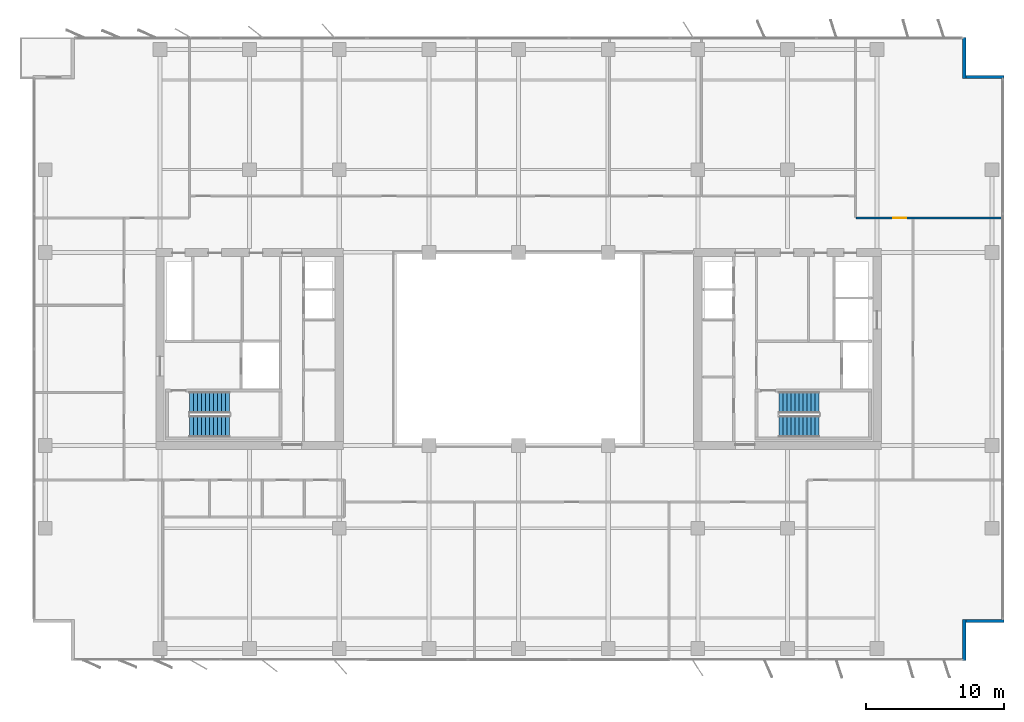
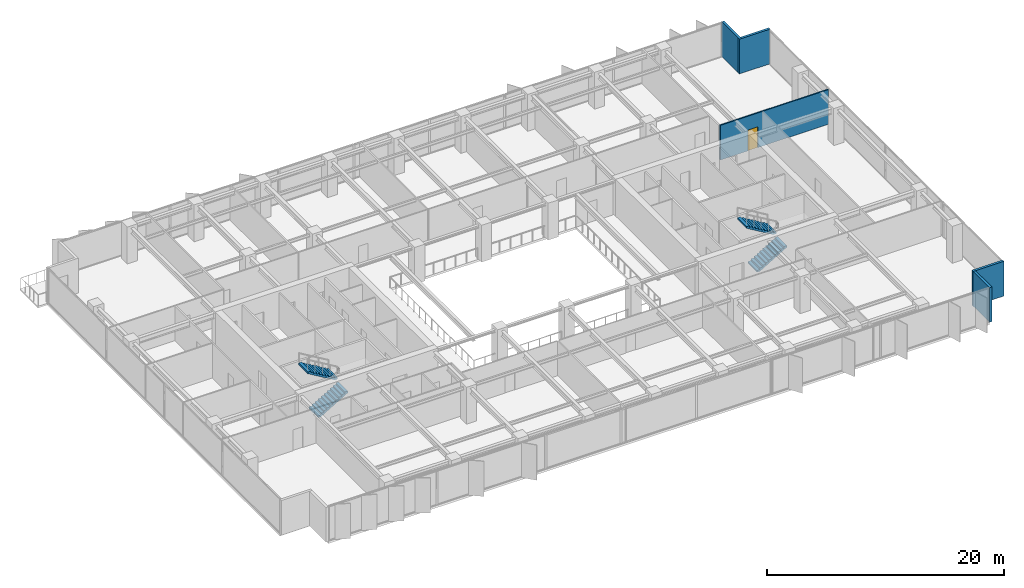
# One storey, part 18 of 22: 5 walls, 4 stair flights, 1 door, 1 opening, 2 elements without a shape of their own.
"""IFC4 building model written with IfcOpenShell, lengths in metres."""

from ifc_helpers import new_model, si_unit, direction, frame, frame_2d, origin, place, context, subcontext, project, spatial, polyline, rectangle, outline, extrude, material, layer, layer_set, type_object, element, fill, aggregate, save


model = new_model("IFC4")

# Units and contexts
model_context = context("Model", 3, precision=1e-05, world=origin(), true_north=direction((0.0, 1.0)))
body_context = subcontext(model_context, "Body", "Model", "MODEL_VIEW")
ifc_project = project(units=[si_unit("LENGTHUNIT", "METRE"), si_unit("AREAUNIT", "SQUARE_METRE"), si_unit("VOLUMEUNIT", "CUBIC_METRE"), si_unit("PLANEANGLEUNIT", "RADIAN"), si_unit("MASSUNIT", "GRAM", prefix="KILO")], contexts=[model_context])

# Site, building, storey
site_placement = place(None, origin())
site = spatial("IfcSite", under=ifc_project, at=site_placement, CompositionType="ELEMENT")
building_placement = place(site_placement, origin())
building = spatial("IfcBuilding", under=site, at=building_placement, Name="Putna Gate Headquarters", CompositionType="ELEMENT")
storey_placement = place(building_placement, frame((0.0, 0.0, 151.800048828125)))
storey = spatial("IfcBuildingStorey", under=building, at=storey_placement, Name="L37", CompositionType="ELEMENT", Elevation=151.800048828125)

# Walls
ifc_material_1 = material(Name="Precast concrete C40/50", Category="concrete")
ifc_layer_1 = layer(ifc_material_1, 0.239990234375)
ifc_layer_set_1 = layer_set([ifc_layer_1], Name="Precast concrete C40/50")
wall_type_1 = type_object("IfcWallType", Name="WALL-EXT-TERR-240", PredefinedType="STANDARD", material=ifc_layer_set_1)
for number, where, z_axis, x_axis, name in (
    (1, (71.320068359375, 48.60009765625, 0.0), (0.0, 0.0, 1.0), (0.0, -1.0, 0.0), "L37 Corner Notch Return Wall NE-V"),
    (2, (71.199951171875, 45.719970703125, 0.0), (0.0, 0.0, 1.0), (1.0, 0.0, 0.0), "L37 Corner Notch Return Wall NE-H"),
    (3, (71.320068359375, 6.39990234375, 0.0), (0.0, 0.0, 1.0), (0.0, -1.0, 0.0), "L37 Corner Notch Return Wall SE-V"),
    (4, (74.199951171875, 6.280029296875, 0.0), (0.0, 0.0, 1.0), (-1.0, 0.0, 0.0), "L37 Corner Notch Return Wall SE-H"),
):
    element("IfcWall", number, at=place(storey_placement, frame(where, z_axis=z_axis, x_axis=x_axis)), inside=storey, type_object=wall_type_1, Name=name, PredefinedType="STANDARD", context=body_context, shape_type="SweptSolid", body=[
        extrude(rectangle(XDim=3.0, YDim=0.239990234375, at=frame_2d((1.5, 0.0))), origin(), (0.0, 0.0, 1.0), 3.572021484375),
    ])

# Wall, opening, door
ifc_material_2 = material(Name="Fire-rated gypsum board on metal stud")
ifc_layer_2 = layer(ifc_material_2, 0.1201171875)
ifc_layer_set_2 = layer_set([ifc_layer_2], Name="Fire-rated gypsum board on metal stud")
wall_type_2 = type_object("IfcWallType", Name="WALL-PART-120-RATED", PredefinedType="PARTITIONING", material=ifc_layer_set_2)
wall_placement = place(storey_placement, frame((63.48291015625, 35.5, 0.0), z_axis=(0.0, 0.0, 1.0), x_axis=(1.0, 0.0, 0.0)))
wall = element("IfcWall", 5, at=wall_placement, inside=storey, type_object=wall_type_2, Name="L37 Interior Wall PART-L37-NB-CW-07", PredefinedType="PARTITIONING", context=body_context, shape_type="SweptSolid", body=[
    extrude(rectangle(XDim=10.537109375, YDim=0.1201171875, at=frame_2d((5.2685546875, 0.0))), origin(), (0.0, 0.0, 1.0), 3.572021484375),
])
opening_placement = place(wall_placement, frame((2.68701171875, 0.0, 0.0)))
opening = element("IfcOpeningElement", 6, at=opening_placement, cuts=wall, Name="Opening FD-95", PredefinedType="OPENING", context=body_context, shape_type="SweptSolid", body=[
    extrude(rectangle(XDim=0.949951171875, YDim=2.14990234375, at=frame_2d((0.47509765625, 1.074951171875))), frame((0.0, 0.070068359375, 0.0), z_axis=(0.0, -1.0, 0.0), x_axis=(1.0, 0.0, 0.0)), (0.0, 0.0, 1.0), 0.14013671875),
])
ifc_material_3 = material(Name="Acoustic timber fire door", Category="wood")
door_type = type_object("IfcDoorType", Name="DOOR-FIRE-950", OperationType="NOTDEFINED", PredefinedType="DOOR", material=ifc_material_3)
door_placement = place(opening_placement, origin())
door = element("IfcDoor", 7, at=door_placement, inside=storey, type_object=door_type, Name="L37 Cellular Office 2 Door", OperationType="SINGLE_SWING_RIGHT", OverallHeight=2.14990234375, OverallWidth=0.949951171875, PredefinedType="DOOR", context=body_context, shape_type="SweptSolid", body=[
    extrude(rectangle(XDim=0.949951171875, YDim=2.14990234375, at=frame_2d((0.47509765625, 1.074951171875))), frame((0.0, 0.02490234375, 0.0), z_axis=(0.0, -1.0, 0.0), x_axis=(1.0, 0.0, 0.0)), (0.0, 0.0, 1.0), 0.050048828125),
])
fill(opening, door)

# Stair, stair flights
ifc_material_4 = material(Name="Concrete C40/50", Category="concrete")
stair_type_1 = type_object("IfcStairType", Name="STAIR-ST1", PredefinedType="HALF_TURN_STAIR", material=ifc_material_4)
stair_1_placement = place(storey_placement, origin())
stair_1 = element("IfcStair", 8, at=stair_1_placement, inside=storey, type_object=stair_type_1, Name="L37 West Core Exit Stair ST1", PredefinedType="HALF_TURN_STAIR")
stair_flight_type_1 = type_object("IfcStairFlightType", Name="FLIGHT-ST1", PredefinedType="STRAIGHT", material=ifc_material_4)
stair_flight_1_placement = place(storey_placement, frame((15.14990234375, 20.375, 0.0), z_axis=(0.0, 0.0, 1.0), x_axis=(1.0, 0.0, 0.0)))
stair_flight_1 = element("IfcStairFlight", 9, at=stair_flight_1_placement, type_object=stair_flight_type_1, Name="ST1 flight 1", NumberOfRisers=11, NumberOfTreads=10, PredefinedType="STRAIGHT", RiserHeight=0.172727273, TreadLength=0.29, context=body_context, shape_type="SweptSolid", body=[
    extrude(outline(polyline([(0.0, 0.0), (0.0, 0.172607421875), (0.2900390625, 0.172607421875), (0.2900390625, 0.345458984375), (0.580078125, 0.345458984375), (0.580078125, 0.51806640625), (0.8701171875, 0.51806640625), (0.8701171875, 0.69091796875), (1.159912109375, 0.69091796875), (1.159912109375, 0.863525390625), (1.449951171875, 0.863525390625), (1.449951171875, 1.036376953125), (1.739990234375, 1.036376953125), (1.739990234375, 1.208984375), (2.030029296875, 1.208984375), (2.030029296875, 1.3818359375), (2.320068359375, 1.3818359375), (2.320068359375, 1.554443359375), (2.610107421875, 1.554443359375), (2.610107421875, 1.727294921875), (2.89990234375, 1.727294921875), (2.89990234375, 1.89990234375), (2.89990234375, 1.552734375), (0.29296875, 0.0), (0.0, 0.0)])), frame((0.0, 0.77490234375, 0.0), z_axis=(0.0, -1.0, 0.0), x_axis=(1.0, 0.0, 0.0)), (0.0, 0.0, 1.0), 1.550048828125),
])
stair_flight_2_placement = place(storey_placement, frame((18.050048828125, 22.125, 1.89990234375), z_axis=(0.0, 0.0, 1.0), x_axis=(-1.0, 0.0, 0.0)))
stair_flight_2 = element("IfcStairFlight", 10, at=stair_flight_2_placement, type_object=stair_flight_type_1, Name="ST1 flight 2", NumberOfRisers=11, NumberOfTreads=10, PredefinedType="STRAIGHT", RiserHeight=0.172727273, TreadLength=0.29, context=body_context, shape_type="SweptSolid", body=[
    extrude(outline(polyline([(0.0, 0.0), (0.0, 0.172607421875), (0.2900390625, 0.172607421875), (0.2900390625, 0.345458984375), (0.580078125, 0.345458984375), (0.580078125, 0.51806640625), (0.8701171875, 0.51806640625), (0.8701171875, 0.69091796875), (1.159912109375, 0.69091796875), (1.159912109375, 0.863525390625), (1.449951171875, 0.863525390625), (1.449951171875, 1.036376953125), (1.739990234375, 1.036376953125), (1.739990234375, 1.208984375), (2.030029296875, 1.208984375), (2.030029296875, 1.3818359375), (2.320068359375, 1.3818359375), (2.320068359375, 1.554443359375), (2.610107421875, 1.554443359375), (2.610107421875, 1.727294921875), (2.89990234375, 1.727294921875), (2.89990234375, 1.89990234375), (2.89990234375, 1.552734375), (0.29296875, 0.0), (0.0, 0.0)])), frame((0.0, 0.77490234375, 0.0), z_axis=(0.0, -1.0, 0.0), x_axis=(1.0, 0.0, 0.0)), (0.0, 0.0, 1.0), 1.550048828125),
])
aggregate(stair_1, [stair_flight_1, stair_flight_2])

stair_type_2 = type_object("IfcStairType", Name="STAIR-ST2", PredefinedType="HALF_TURN_STAIR", material=ifc_material_4)
stair_2_placement = place(storey_placement, origin())
stair_2 = element("IfcStair", 11, at=stair_2_placement, inside=storey, type_object=stair_type_2, Name="L37 East Core Exit Stair ST2", PredefinedType="HALF_TURN_STAIR")
stair_flight_type_2 = type_object("IfcStairFlightType", Name="FLIGHT-ST2", PredefinedType="STRAIGHT", material=ifc_material_4)
stair_flight_3_placement = place(storey_placement, frame((57.89990234375, 20.375, 0.0), z_axis=(0.0, 0.0, 1.0), x_axis=(1.0, 0.0, 0.0)))
stair_flight_3 = element("IfcStairFlight", 12, at=stair_flight_3_placement, type_object=stair_flight_type_2, Name="ST2 flight 1", NumberOfRisers=11, NumberOfTreads=10, PredefinedType="STRAIGHT", RiserHeight=0.172727273, TreadLength=0.29, context=body_context, shape_type="SweptSolid", body=[
    extrude(outline(polyline([(0.0, 0.0), (0.0, 0.172607421875), (0.2900390625, 0.172607421875), (0.2900390625, 0.345458984375), (0.580078125, 0.345458984375), (0.580078125, 0.51806640625), (0.8701171875, 0.51806640625), (0.8701171875, 0.69091796875), (1.159912109375, 0.69091796875), (1.159912109375, 0.863525390625), (1.449951171875, 0.863525390625), (1.449951171875, 1.036376953125), (1.739990234375, 1.036376953125), (1.739990234375, 1.208984375), (2.030029296875, 1.208984375), (2.030029296875, 1.3818359375), (2.320068359375, 1.3818359375), (2.320068359375, 1.554443359375), (2.610107421875, 1.554443359375), (2.610107421875, 1.727294921875), (2.89990234375, 1.727294921875), (2.89990234375, 1.89990234375), (2.89990234375, 1.552734375), (0.29296875, 0.0), (0.0, 0.0)])), frame((0.0, 0.77490234375, 0.0), z_axis=(0.0, -1.0, 0.0), x_axis=(1.0, 0.0, 0.0)), (0.0, 0.0, 1.0), 1.550048828125),
])
stair_flight_4_placement = place(storey_placement, frame((60.800048828125, 22.125, 1.89990234375), z_axis=(0.0, 0.0, 1.0), x_axis=(-1.0, 0.0, 0.0)))
stair_flight_4 = element("IfcStairFlight", 13, at=stair_flight_4_placement, type_object=stair_flight_type_2, Name="ST2 flight 2", NumberOfRisers=11, NumberOfTreads=10, PredefinedType="STRAIGHT", RiserHeight=0.172727273, TreadLength=0.29, context=body_context, shape_type="SweptSolid", body=[
    extrude(outline(polyline([(0.0, 0.0), (0.0, 0.172607421875), (0.2900390625, 0.172607421875), (0.2900390625, 0.345458984375), (0.580078125, 0.345458984375), (0.580078125, 0.51806640625), (0.8701171875, 0.51806640625), (0.8701171875, 0.69091796875), (1.159912109375, 0.69091796875), (1.159912109375, 0.863525390625), (1.449951171875, 0.863525390625), (1.449951171875, 1.036376953125), (1.739990234375, 1.036376953125), (1.739990234375, 1.208984375), (2.030029296875, 1.208984375), (2.030029296875, 1.3818359375), (2.320068359375, 1.3818359375), (2.320068359375, 1.554443359375), (2.610107421875, 1.554443359375), (2.610107421875, 1.727294921875), (2.89990234375, 1.727294921875), (2.89990234375, 1.89990234375), (2.89990234375, 1.552734375), (0.29296875, 0.0), (0.0, 0.0)])), frame((0.0, 0.77490234375, 0.0), z_axis=(0.0, -1.0, 0.0), x_axis=(1.0, 0.0, 0.0)), (0.0, 0.0, 1.0), 1.550048828125),
])
aggregate(stair_2, [stair_flight_3, stair_flight_4])

save(model, "model.ifc")
